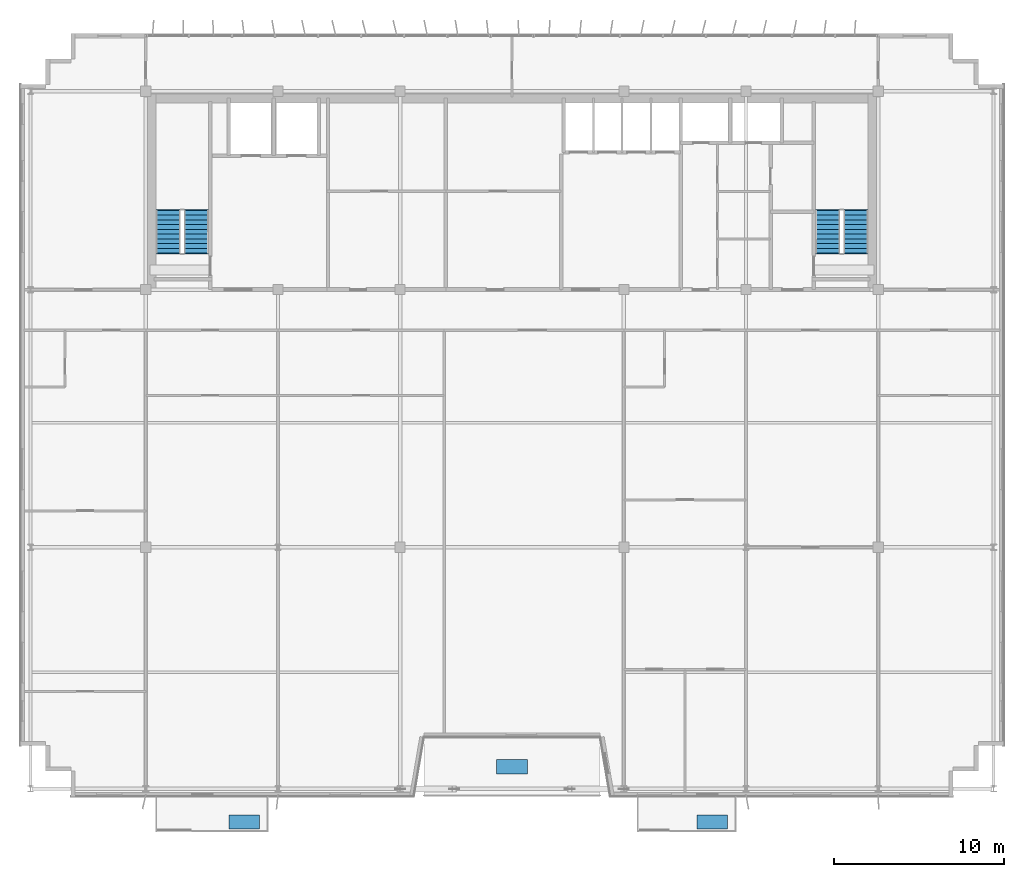
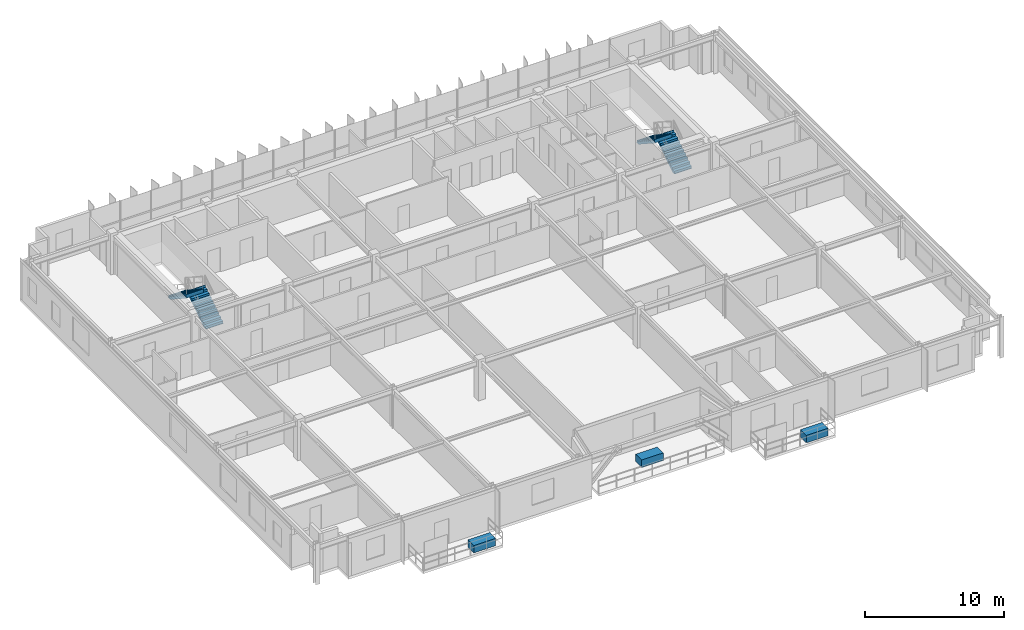
# One storey, part 20 of 22: 4 stair flights, 3 discrete accessories, 2 elements without a shape of their own.
"""IFC4 building model written with IfcOpenShell, lengths in metres."""

from ifc_helpers import new_model, si_unit, direction, frame, origin, origin_2d, place, context, subcontext, project, spatial, polyline, rectangle, outline, extrude, source, transform, mapped, material, type_object, element, aggregate, save


model = new_model("IFC4")

# Units and contexts
model_context = context("Model", 3, precision=1e-05, world=origin(), true_north=direction((0.0, 1.0)))
body_context = subcontext(model_context, "Body", "Model", "MODEL_VIEW")
ifc_project = project(units=[si_unit("LENGTHUNIT", "METRE"), si_unit("AREAUNIT", "SQUARE_METRE"), si_unit("VOLUMEUNIT", "CUBIC_METRE"), si_unit("PLANEANGLEUNIT", "RADIAN"), si_unit("MASSUNIT", "GRAM", prefix="KILO")], contexts=[model_context])

# Site, building, storey
site_placement = place(None, origin())
site = spatial("IfcSite", under=ifc_project, at=site_placement, CompositionType="ELEMENT")
building_placement = place(site_placement, origin())
building = spatial("IfcBuilding", under=site, at=building_placement, Name="Trelvane Seafront Commons", CompositionType="ELEMENT")
storey_placement = place(building_placement, frame((0.0, 0.0, 288.300048828125)))
storey = spatial("IfcBuildingStorey", under=building, at=storey_placement, Name="L75", CompositionType="ELEMENT", Elevation=288.300048828125)

# Stair, stair flights
ifc_material_1 = material(Name="Concrete C40/50", Category="concrete")
stair_type_1 = type_object("IfcStairType", Name="ARCH-STR-ST-1-R20-180", PredefinedType="HALF_TURN_STAIR", material=ifc_material_1)
stair_1_placement = place(storey_placement, origin())
stair_1 = element("IfcStair", 1, at=stair_1_placement, inside=storey, type_object=stair_type_1, Name="L75 West Protected Firefighting Exit Stair ST-1", PredefinedType="HALF_TURN_STAIR")
stair_flight_type_1 = type_object("IfcStairFlightType", Name="ARCH-FLG-ST-1-R20-180", PredefinedType="STRAIGHT", material=ifc_material_1)
shared_shape_1 = source(origin(), body_context, "Body", "SweptSolid", [
    extrude(outline(polyline([(-0.050048828125, -0.02001953125), (-0.050048828125, 0.0), (0.0, 0.0), (0.0, 0.179931640625), (0.280029296875, 0.179931640625), (0.280029296875, 0.360107421875), (0.56005859375, 0.360107421875), (0.56005859375, 0.5400390625), (0.840087890625, 0.5400390625), (0.840087890625, 0.719970703125), (1.1201171875, 0.719970703125), (1.1201171875, 0.89990234375), (1.39990234375, 0.89990234375), (1.39990234375, 1.080078125), (1.679931640625, 1.080078125), (1.679931640625, 1.260009765625), (1.9599609375, 1.260009765625), (1.9599609375, 1.43994140625), (2.239990234375, 1.43994140625), (2.239990234375, 1.6201171875), (2.52001953125, 1.6201171875), (2.52001953125, 1.800048828125), (2.570068359375, 1.800048828125), (2.570068359375, 1.650146484375), (2.52001953125, 1.44189453125), (0.277099609375, -0.02001953125), (-0.050048828125, -0.02001953125)])), frame((0.0, 0.72509765625, 0.0), z_axis=(0.0, -1.0, 0.0), x_axis=(1.0, 0.0, 0.0)), (0.0, 0.0, 1.0), 1.449951171875),
])
stair_flight_1_placement = place(storey_placement, frame((18.574951171875, 35.550048828125, 0.0), z_axis=(0.0, 0.0, 1.0), x_axis=(0.0, 1.0, 0.0)))
stair_flight_1 = element("IfcStairFlight", 2, at=stair_flight_1_placement, type_object=stair_flight_type_1, Name="ST-1 flight 1", NumberOfRisers=10, NumberOfTreads=9, PredefinedType="STRAIGHT", RiserHeight=0.18, TreadLength=0.28, context=body_context, shape_type="MappedRepresentation", body=[
    mapped(shared_shape_1, transform((0.0, 0.0, 0.0), x_axis=(1.0, 0.0, 0.0), y_axis=(0.0, 1.0, 0.0), z_axis=(0.0, 0.0, 1.0), scale=1.0)),
])
stair_flight_2_placement = place(storey_placement, frame((16.925048828125, 38.070068359375, 1.800048828125), z_axis=(0.0, 0.0, 1.0), x_axis=(0.0, -1.0, 0.0)))
stair_flight_2 = element("IfcStairFlight", 3, at=stair_flight_2_placement, type_object=stair_flight_type_1, Name="ST-1 flight 2", NumberOfRisers=10, NumberOfTreads=9, PredefinedType="STRAIGHT", RiserHeight=0.18, TreadLength=0.28, context=body_context, shape_type="MappedRepresentation", body=[
    mapped(shared_shape_1, transform((0.0, 0.0, 0.0), x_axis=(1.0, 0.0, 0.0), y_axis=(0.0, 1.0, 0.0), z_axis=(0.0, 0.0, 1.0), scale=1.0)),
])
aggregate(stair_1, [stair_flight_1, stair_flight_2])

stair_type_2 = type_object("IfcStairType", Name="ARCH-STR-ST-2-R20-180", PredefinedType="HALF_TURN_STAIR", material=ifc_material_1)
stair_2_placement = place(storey_placement, origin())
stair_2 = element("IfcStair", 4, at=stair_2_placement, inside=storey, type_object=stair_type_2, Name="L75 East Protected Firefighting Exit Stair ST-2", PredefinedType="HALF_TURN_STAIR")
stair_flight_type_2 = type_object("IfcStairFlightType", Name="ARCH-FLG-ST-2-R20-180", PredefinedType="STRAIGHT", material=ifc_material_1)
stair_flight_3_placement = place(storey_placement, frame((57.47509765625, 35.550048828125, 0.0), z_axis=(0.0, 0.0, 1.0), x_axis=(0.0, 1.0, 0.0)))
stair_flight_3 = element("IfcStairFlight", 5, at=stair_flight_3_placement, type_object=stair_flight_type_2, Name="ST-2 flight 1", NumberOfRisers=10, NumberOfTreads=9, PredefinedType="STRAIGHT", RiserHeight=0.18, TreadLength=0.28, context=body_context, shape_type="MappedRepresentation", body=[
    mapped(shared_shape_1, transform((0.0, 0.0, 0.0), x_axis=(1.0, 0.0, 0.0), y_axis=(0.0, 1.0, 0.0), z_axis=(0.0, 0.0, 1.0), scale=1.0)),
])
stair_flight_4_placement = place(storey_placement, frame((55.824951171875, 38.070068359375, 1.800048828125), z_axis=(0.0, 0.0, 1.0), x_axis=(0.0, -1.0, 0.0)))
stair_flight_4 = element("IfcStairFlight", 6, at=stair_flight_4_placement, type_object=stair_flight_type_2, Name="ST-2 flight 2", NumberOfRisers=10, NumberOfTreads=9, PredefinedType="STRAIGHT", RiserHeight=0.18, TreadLength=0.28, context=body_context, shape_type="MappedRepresentation", body=[
    mapped(shared_shape_1, transform((0.0, 0.0, 0.0), x_axis=(1.0, 0.0, 0.0), y_axis=(0.0, 1.0, 0.0), z_axis=(0.0, 0.0, 1.0), scale=1.0)),
])
aggregate(stair_2, [stair_flight_3, stair_flight_4])

# Discrete accessories
ifc_material_2 = material(Name="Precast concrete C40/50", Category="concrete")
discrete_accessory_type = type_object("IfcDiscreteAccessoryType", Name="ARCH-ACC-PLANTER", PredefinedType="USERDEFINED", material=ifc_material_2)
shared_shape_2 = source(origin(), body_context, "Body", "SweptSolid", [
    extrude(rectangle(XDim=1.800048828125, YDim=0.85009765625, at=origin_2d()), origin(), (0.0, 0.0, 1.0), 0.64990234375),
])
for number, where, z_axis, x_axis, name in (
    (7, (37.199951171875, 5.25, 0.0), (0.0, 0.0, 1.0), (1.0, 0.0, 0.0), "PLN-L75-TR0-077"),
    (8, (21.39990234375, 2.0, 0.0), (0.0, 0.0, 1.0), (1.0, 0.0, 0.0), "PLN-L75-B0-078"),
    (9, (49.0, 2.0, 0.0), (0.0, 0.0, 1.0), (1.0, 0.0, 0.0), "PLN-L75-B1-079"),
):
    element("IfcDiscreteAccessory", number, at=place(storey_placement, frame(where, z_axis=z_axis, x_axis=x_axis)), inside=storey, type_object=discrete_accessory_type, Name=name, ObjectType="BALCONY TREE PLANTER", PredefinedType="USERDEFINED", context=body_context, shape_type="MappedRepresentation", body=[
        mapped(shared_shape_2, transform((0.0, 0.0, 0.0), x_axis=(1.0, 0.0, 0.0), y_axis=(0.0, 1.0, 0.0), z_axis=(0.0, 0.0, 1.0), scale=1.0)),
    ])

save(model, "model.ifc")
